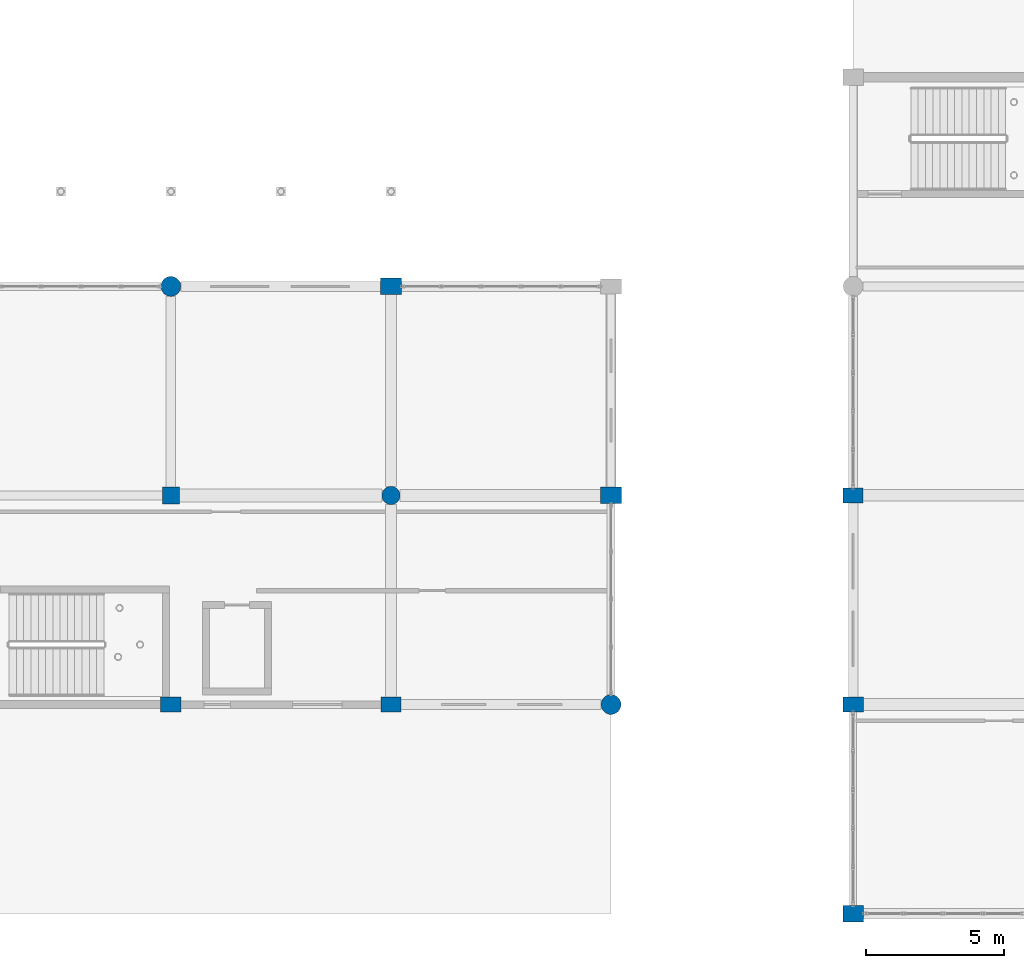
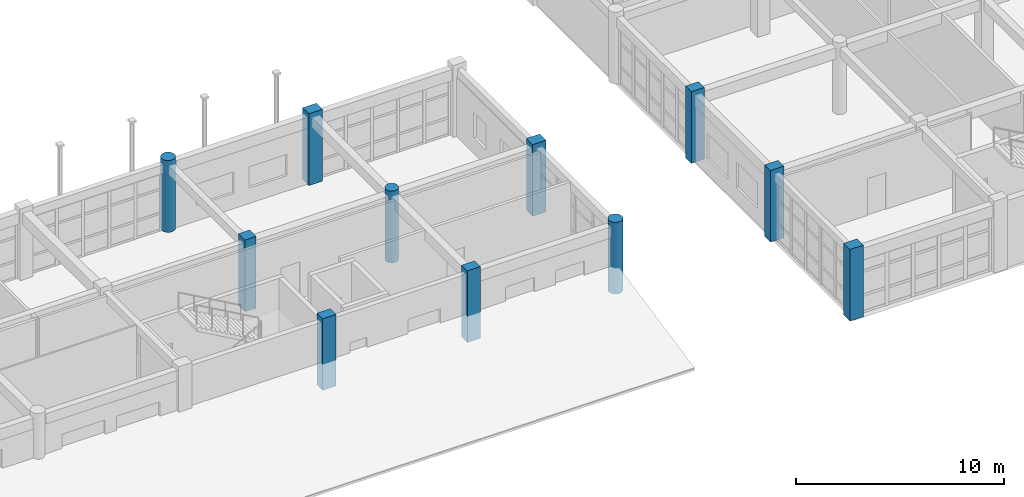
# One storey, part 9 of 195: 11 columns.
"""IFC4 building model written with IfcOpenShell, lengths in metres."""

from ifc_helpers import new_model, si_unit, direction, frame, origin, origin_2d, place, context, subcontext, project, spatial, rectangle, circle, extrude, material, material_profile, profile_set, type_object, element, save


model = new_model("IFC4")

# Units and contexts
model_context = context("Model", 3, precision=1e-05, world=origin(), true_north=direction((0.0, 1.0)))
body_context = subcontext(model_context, "Body", "Model", "MODEL_VIEW")
ifc_project = project(units=[si_unit("LENGTHUNIT", "METRE"), si_unit("AREAUNIT", "SQUARE_METRE"), si_unit("VOLUMEUNIT", "CUBIC_METRE"), si_unit("PLANEANGLEUNIT", "RADIAN"), si_unit("MASSUNIT", "GRAM", prefix="KILO")], contexts=[model_context])

# Site, building, storey
site_placement = place(None, origin())
site = spatial("IfcSite", under=ifc_project, at=site_placement, CompositionType="ELEMENT")
building_placement = place(site_placement, origin())
building = spatial("IfcBuilding", under=site, at=building_placement, Name="Kharva Crest Polytechnic", CompositionType="ELEMENT")
storey_placement = place(building_placement, frame((0.0, 0.0, 9.0)))
storey = spatial("IfcBuildingStorey", under=building, at=storey_placement, Name="L02", CompositionType="ELEMENT", Elevation=9.0)

# Columns
ifc_material = material(Name="Concrete C40/50", Category="concrete")
ifc_material_profile_1 = material_profile(ifc_material, rectangle(XDim=0.719970703125, YDim=0.550048828125, at=origin_2d()), Name="RECT 720 X 550")
ifc_profile_set_1 = profile_set([ifc_material_profile_1], Name="Concrete C40/50")
column_type_1 = type_object("IfcColumnType", Name="COL-EXT-720X550", PredefinedType="COLUMN", material=ifc_profile_set_1)
for number, where, z_axis, x_axis, name in (
    (1, (104.0, 7.60009765625, 0.0), (0.0, 0.0, 1.0), (1.0, 0.0, 0.0), "L02 Column 14/B"),
    (2, (120.800048828125, 15.199951171875, 0.0), (0.0, 0.0, 1.0), (1.0, 0.0, 0.0), "L02 Column 16J/C"),
):
    element("IfcColumn", number, at=place(storey_placement, frame(where, z_axis=z_axis, x_axis=x_axis)), inside=storey, type_object=column_type_1, Name=name, PredefinedType="COLUMN", context=body_context, shape_type="SweptSolid", body=[
        extrude(rectangle(XDim=0.719970703125, YDim=0.550048828125, at=origin_2d()), origin(), (0.0, 0.0, 1.0), 4.199951171875),
    ])
ifc_material_profile_2 = material_profile(ifc_material, rectangle(XDim=0.75, YDim=0.550048828125, at=origin_2d()), Name="RECT 750 X 550")
ifc_profile_set_2 = profile_set([ifc_material_profile_2], Name="Concrete C40/50")
column_type_2 = type_object("IfcColumnType", Name="COL-EXT-750X550", PredefinedType="COLUMN", material=ifc_profile_set_2)
for number, where, z_axis, x_axis, name in (
    (3, (96.0, 7.60009765625, 0.0), (0.0, 0.0, 1.0), (1.0, 0.0, 0.0), "L02 Column 13/B"),
    (4, (120.800048828125, 7.60009765625, 0.0), (0.0, 0.0, 1.0), (1.0, 0.0, 0.0), "L02 Column 16J/B"),
):
    element("IfcColumn", number, at=place(storey_placement, frame(where, z_axis=z_axis, x_axis=x_axis)), inside=storey, type_object=column_type_2, Name=name, PredefinedType="COLUMN", context=body_context, shape_type="SweptSolid", body=[
        extrude(rectangle(XDim=0.75, YDim=0.550048828125, at=origin_2d()), origin(), (0.0, 0.0, 1.0), 4.199951171875),
    ])
ifc_material_profile_3 = material_profile(ifc_material, rectangle(XDim=0.75, YDim=0.60009765625, at=origin_2d()), Name="RECT 750 X 600")
ifc_profile_set_3 = profile_set([ifc_material_profile_3], Name="Concrete C40/50")
column_type_3 = type_object("IfcColumnType", Name="COL-EXT-750X600", PredefinedType="COLUMN", material=ifc_profile_set_3)
for number, where, z_axis, x_axis, name in (
    (5, (104.0, 22.800048828125, 0.0), (0.0, 0.0, 1.0), (1.0, 0.0, 0.0), "L02 Column 14/D"),
    (6, (112.0, 15.199951171875, 0.0), (0.0, 0.0, 1.0), (1.0, 0.0, 0.0), "L02 Column 15/C"),
    (7, (120.800048828125, 0.0, 0.0), (0.0, 0.0, 1.0), (1.0, 0.0, 0.0), "L02 Column 16J/A"),
):
    element("IfcColumn", number, at=place(storey_placement, frame(where, z_axis=z_axis, x_axis=x_axis)), inside=storey, type_object=column_type_3, Name=name, PredefinedType="COLUMN", context=body_context, shape_type="SweptSolid", body=[
        extrude(rectangle(XDim=0.75, YDim=0.60009765625, at=origin_2d()), origin(), (0.0, 0.0, 1.0), 4.199951171875),
    ])
ifc_material_profile_4 = material_profile(ifc_material, circle(Radius=0.360107421875, at=origin_2d()), Name="DIA 720")
ifc_profile_set_4 = profile_set([ifc_material_profile_4], Name="Concrete C40/50")
column_type_4 = type_object("IfcColumnType", Name="COL-EXT-DIA720", PredefinedType="COLUMN", material=ifc_profile_set_4)
for number, where, z_axis, x_axis, name in (
    (8, (96.0, 22.800048828125, 0.0), (0.0, 0.0, 1.0), (1.0, 0.0, 0.0), "L02 Column 13/D"),
    (9, (112.0, 7.60009765625, 0.0), (0.0, 0.0, 1.0), (1.0, 0.0, 0.0), "L02 Column 15/B"),
):
    element("IfcColumn", number, at=place(storey_placement, frame(where, z_axis=z_axis, x_axis=x_axis)), inside=storey, type_object=column_type_4, Name=name, PredefinedType="COLUMN", context=body_context, shape_type="SweptSolid", body=[
        extrude(circle(Radius=0.360107421875, at=origin_2d()), origin(), (0.0, 0.0, 1.0), 4.199951171875),
    ])
ifc_material_profile_5 = material_profile(ifc_material, rectangle(XDim=0.6201171875, YDim=0.6201171875, at=origin_2d()), Name="RECT 620 X 620")
ifc_profile_set_5 = profile_set([ifc_material_profile_5], Name="Concrete C40/50")
column_type_5 = type_object("IfcColumnType", Name="COL-INT-620X620", PredefinedType="COLUMN", material=ifc_profile_set_5)
column_1_placement = place(storey_placement, frame((96.0, 15.199951171875, 0.0), z_axis=(0.0, 0.0, 1.0), x_axis=(1.0, 0.0, 0.0)))
element("IfcColumn", 10, at=column_1_placement, inside=storey, type_object=column_type_5, Name="L02 Column 13/C", PredefinedType="COLUMN", context=body_context, shape_type="SweptSolid", body=[
    extrude(rectangle(XDim=0.6201171875, YDim=0.6201171875, at=origin_2d()), origin(), (0.0, 0.0, 1.0), 4.199951171875),
])
ifc_material_profile_6 = material_profile(ifc_material, circle(Radius=0.330078125, at=origin_2d()), Name="DIA 660")
ifc_profile_set_6 = profile_set([ifc_material_profile_6], Name="Concrete C40/50")
column_type_6 = type_object("IfcColumnType", Name="COL-INT-DIA660", PredefinedType="COLUMN", material=ifc_profile_set_6)
column_2_placement = place(storey_placement, frame((104.0, 15.199951171875, 0.0), z_axis=(0.0, 0.0, 1.0), x_axis=(1.0, 0.0, 0.0)))
element("IfcColumn", 11, at=column_2_placement, inside=storey, type_object=column_type_6, Name="L02 Column 14/C", PredefinedType="COLUMN", context=body_context, shape_type="SweptSolid", body=[
    extrude(circle(Radius=0.330078125, at=origin_2d()), origin(), (0.0, 0.0, 1.0), 4.199951171875),
])

save(model, "model.ifc")
